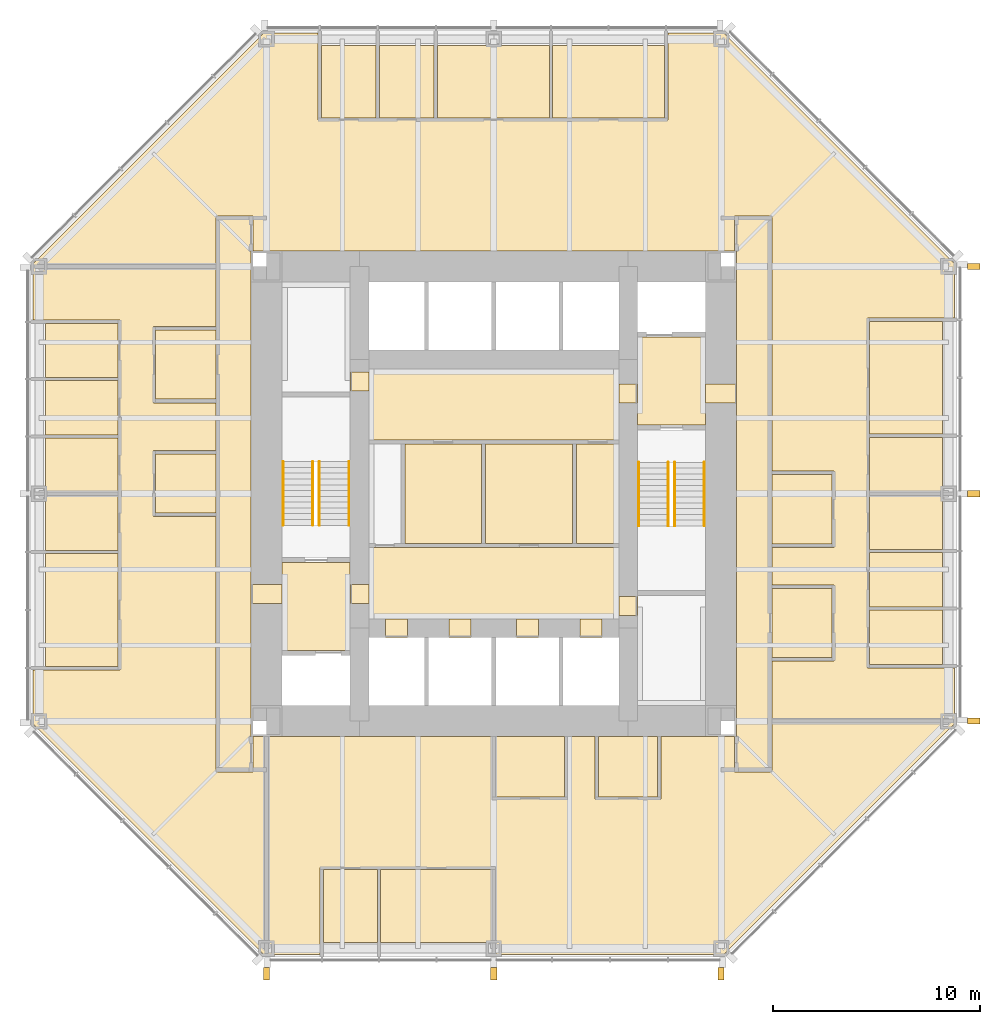
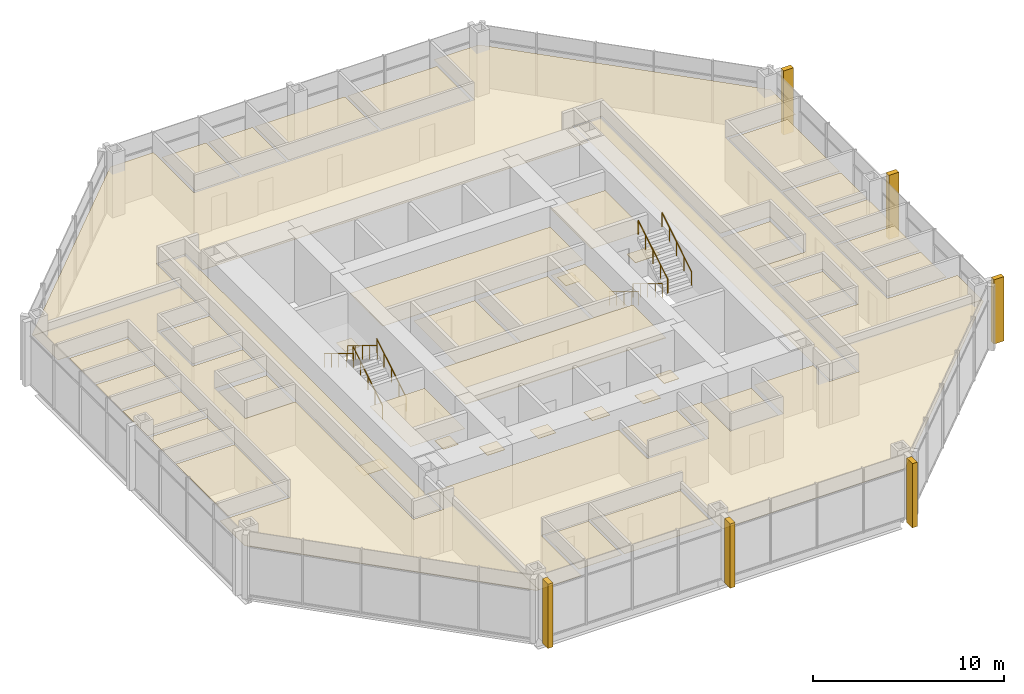
# One storey, part 12 of 12: 50 coverings, 8 railings.
"""IFC4 building model written with IfcOpenShell, lengths in metres."""

from ifc_helpers import new_model, si_unit, direction, frame, origin, origin_2d, place, context, subcontext, project, spatial, polyline, rectangle, circle, outline, extrude, material, layer, layer_set, type_object, element, save


model = new_model("IFC4")

# Units and contexts
model_context = context("Model", 3, precision=1e-05, world=origin(), true_north=direction((0.0, 1.0)))
body_context = subcontext(model_context, "Body", "Model", "MODEL_VIEW")
ifc_project = project(units=[si_unit("LENGTHUNIT", "METRE"), si_unit("AREAUNIT", "SQUARE_METRE"), si_unit("VOLUMEUNIT", "CUBIC_METRE"), si_unit("PLANEANGLEUNIT", "RADIAN"), si_unit("MASSUNIT", "GRAM", prefix="KILO")], contexts=[model_context])

# Site, building, storey
site_placement = place(None, origin())
site = spatial("IfcSite", under=ifc_project, at=site_placement, CompositionType="ELEMENT")
building_placement = place(site_placement, origin())
building = spatial("IfcBuilding", under=site, at=building_placement, Name="Trevanion Tower", CompositionType="ELEMENT")
storey_placement = place(building_placement, frame((0.0, 0.0, 113.10009765625)))
storey = spatial("IfcBuildingStorey", under=building, at=storey_placement, Name="L26", CompositionType="ELEMENT", Elevation=113.10009765625)

# Coverings
ifc_material_1 = material(Name="Fibrous plaster coffers on suspended steel grid", Category="steel")
ifc_layer_1 = layer(ifc_material_1, 0.050048828125)
ifc_layer_set_1 = layer_set([ifc_layer_1], Name="CL1 coffered fibrous plaster ceiling 50")
covering_type_1 = type_object("IfcCoveringType", Name="CL1 coffered fibrous plaster ceiling 50", PredefinedType="CEILING", material=ifc_layer_set_1)
covering_1_placement = place(storey_placement, frame((0.0, 0.0, 3.0)))
element("IfcCovering", 1, at=covering_1_placement, inside=storey, type_object=covering_type_1, Name="CL1 L26-LBS", PredefinedType="CEILING", context=body_context, shape_type="SweptSolid", body=[
    extrude(outline(polyline([(6.050048828125, -6.050048828125), (6.050048828125, -2.60009765625), (-6.050048828125, -2.60009765625), (-6.050048828125, -6.050048828125), (6.050048828125, -6.050048828125)])), origin(), (0.0, 0.0, 1.0), 0.0498046875),
])
ifc_material_2 = material(Name="Mineral fibre acoustic tiles in exposed grid", Category="mineral fibre")
ifc_layer_2 = layer(ifc_material_2, 0.02001953125)
ifc_layer_set_2 = layer_set([ifc_layer_2], Name="CL2 acoustic tile ceiling 20")
covering_type_2 = type_object("IfcCoveringType", Name="CL2 acoustic tile ceiling 20", PredefinedType="CEILING", material=ifc_layer_set_2)
covering_2_placement = place(storey_placement, frame((0.0, 0.0, 2.75)))
element("IfcCovering", 2, at=covering_2_placement, inside=storey, type_object=covering_type_2, Name="CL2 L26-LBN", PredefinedType="CEILING", context=body_context, shape_type="SweptSolid", body=[
    extrude(outline(polyline([(6.050048828125, 2.60009765625), (6.050048828125, 6.050048828125), (-6.050048828125, 6.050048828125), (-6.050048828125, 2.60009765625), (6.050048828125, 2.60009765625)])), origin(), (0.0, 0.0, 1.0), 0.02001953125),
])
covering_3_placement = place(storey_placement, frame((0.0, 0.0, 2.75)))
element("IfcCovering", 3, at=covering_3_placement, inside=storey, type_object=covering_type_2, Name="CL2 L26-CO1", PredefinedType="CEILING", context=body_context, shape_type="SweptSolid", body=[
    extrude(outline(polyline([(-11.75, 13.35009765625), (-11.75, -13.35009765625), (-13.35009765625, -13.35009765625), (-13.35009765625, 13.35009765625), (-11.75, 13.35009765625)])), origin(), (0.0, 0.0, 1.0), 0.02001953125),
])
covering_4_placement = place(storey_placement, frame((0.0, 0.0, 2.75)))
element("IfcCovering", 4, at=covering_4_placement, inside=storey, type_object=covering_type_2, Name="CL2 L26-CO2", PredefinedType="CEILING", context=body_context, shape_type="SweptSolid", body=[
    extrude(outline(polyline([(11.75, 13.35009765625), (13.35009765625, 13.35009765625), (13.35009765625, -13.35009765625), (11.75, -13.35009765625), (11.75, 13.35009765625)])), origin(), (0.0, 0.0, 1.0), 0.02001953125),
])
covering_5_placement = place(storey_placement, frame((0.0, 0.0, 2.75)))
element("IfcCovering", 5, at=covering_5_placement, inside=storey, type_object=covering_type_2, Name="CL2 L26-OF", PredefinedType="CEILING", context=body_context, shape_type="SweptSolid", body=[
    extrude(outline(polyline([(18.175048828125, -8.248046875), (18.175048828125, -5.6240234375), (21.699951171875, -5.6240234375), (21.699951171875, -8.248046875), (18.175048828125, -8.248046875)])), origin(), (0.0, 0.0, 1.0), 0.02001953125),
])
covering_6_placement = place(storey_placement, frame((0.0, 0.0, 2.75)))
element("IfcCovering", 6, at=covering_6_placement, inside=storey, type_object=covering_type_2, Name="CL2 L26-OF2", PredefinedType="CEILING", context=body_context, shape_type="SweptSolid", body=[
    extrude(outline(polyline([(18.175048828125, -5.47412109375), (18.175048828125, -2.85009765625), (21.699951171875, -2.85009765625), (21.699951171875, -5.47412109375), (18.175048828125, -5.47412109375)])), origin(), (0.0, 0.0, 1.0), 0.02001953125),
])
covering_7_placement = place(storey_placement, frame((0.0, 0.0, 2.75)))
element("IfcCovering", 7, at=covering_7_placement, inside=storey, type_object=covering_type_2, Name="CL2 L26-OF3", PredefinedType="CEILING", context=body_context, shape_type="SweptSolid", body=[
    extrude(outline(polyline([(18.175048828125, -2.699951171875), (18.175048828125, -0.074951171875), (21.699951171875, -0.074951171875), (21.699951171875, -2.699951171875), (18.175048828125, -2.699951171875)])), origin(), (0.0, 0.0, 1.0), 0.02001953125),
])
covering_8_placement = place(storey_placement, frame((0.0, 0.0, 2.75)))
element("IfcCovering", 8, at=covering_8_placement, inside=storey, type_object=covering_type_2, Name="CL2 L26-OF4", PredefinedType="CEILING", context=body_context, shape_type="SweptSolid", body=[
    extrude(outline(polyline([(18.175048828125, 0.074951171875), (18.175048828125, 2.73193359375), (21.699951171875, 2.73193359375), (21.699951171875, 0.074951171875), (18.175048828125, 0.074951171875)])), origin(), (0.0, 0.0, 1.0), 0.02001953125),
])
covering_9_placement = place(storey_placement, frame((0.0, 0.0, 2.75)))
element("IfcCovering", 9, at=covering_9_placement, inside=storey, type_object=covering_type_2, Name="CL2 L26-MR", PredefinedType="CEILING", context=body_context, shape_type="SweptSolid", body=[
    extrude(outline(polyline([(18.175048828125, 2.882080078125), (18.175048828125, 8.345947265625), (21.699951171875, 8.345947265625), (21.699951171875, 2.882080078125), (18.175048828125, 2.882080078125)])), origin(), (0.0, 0.0, 1.0), 0.02001953125),
])
covering_10_placement = place(storey_placement, frame((0.0, 0.0, 2.75)))
element("IfcCovering", 10, at=covering_10_placement, inside=storey, type_object=covering_type_2, Name="CL2 L26-MR2", PredefinedType="CEILING", context=body_context, shape_type="SweptSolid", body=[
    extrude(outline(polyline([(8.248046875, 18.175048828125), (2.85009765625, 18.175048828125), (2.85009765625, 21.699951171875), (8.248046875, 21.699951171875), (8.248046875, 18.175048828125)])), origin(), (0.0, 0.0, 1.0), 0.02001953125),
])
covering_11_placement = place(storey_placement, frame((0.0, 0.0, 2.75)))
element("IfcCovering", 11, at=covering_11_placement, inside=storey, type_object=covering_type_2, Name="CL2 L26-MR3", PredefinedType="CEILING", context=body_context, shape_type="SweptSolid", body=[
    extrude(outline(polyline([(2.699951171875, 18.175048828125), (-2.73193359375, 18.175048828125), (-2.73193359375, 21.699951171875), (2.699951171875, 21.699951171875), (2.699951171875, 18.175048828125)])), origin(), (0.0, 0.0, 1.0), 0.02001953125),
])
covering_12_placement = place(storey_placement, frame((0.0, 0.0, 2.75)))
element("IfcCovering", 12, at=covering_12_placement, inside=storey, type_object=covering_type_2, Name="CL2 L26-OF5", PredefinedType="CEILING", context=body_context, shape_type="SweptSolid", body=[
    extrude(outline(polyline([(-2.882080078125, 18.175048828125), (-5.5390625, 18.175048828125), (-5.5390625, 21.699951171875), (-2.882080078125, 21.699951171875), (-2.882080078125, 18.175048828125)])), origin(), (0.0, 0.0, 1.0), 0.02001953125),
])
covering_13_placement = place(storey_placement, frame((0.0, 0.0, 2.75)))
element("IfcCovering", 13, at=covering_13_placement, inside=storey, type_object=covering_type_2, Name="CL2 L26-OF6", PredefinedType="CEILING", context=body_context, shape_type="SweptSolid", body=[
    extrude(outline(polyline([(-5.68896484375, 18.175048828125), (-8.345947265625, 18.175048828125), (-8.345947265625, 21.699951171875), (-5.68896484375, 21.699951171875), (-5.68896484375, 18.175048828125)])), origin(), (0.0, 0.0, 1.0), 0.02001953125),
])
covering_14_placement = place(storey_placement, frame((0.0, 0.0, 2.75)))
element("IfcCovering", 14, at=covering_14_placement, inside=storey, type_object=covering_type_2, Name="CL2 L26-OF7", PredefinedType="CEILING", context=body_context, shape_type="SweptSolid", body=[
    extrude(outline(polyline([(-18.175048828125, 8.248046875), (-18.175048828125, 5.6240234375), (-21.699951171875, 5.6240234375), (-21.699951171875, 8.248046875), (-18.175048828125, 8.248046875)])), origin(), (0.0, 0.0, 1.0), 0.02001953125),
])
covering_15_placement = place(storey_placement, frame((0.0, 0.0, 2.75)))
element("IfcCovering", 15, at=covering_15_placement, inside=storey, type_object=covering_type_2, Name="CL2 L26-OF8", PredefinedType="CEILING", context=body_context, shape_type="SweptSolid", body=[
    extrude(outline(polyline([(-18.175048828125, 5.47412109375), (-18.175048828125, 2.85009765625), (-21.699951171875, 2.85009765625), (-21.699951171875, 5.47412109375), (-18.175048828125, 5.47412109375)])), origin(), (0.0, 0.0, 1.0), 0.02001953125),
])
covering_16_placement = place(storey_placement, frame((0.0, 0.0, 2.75)))
element("IfcCovering", 16, at=covering_16_placement, inside=storey, type_object=covering_type_2, Name="CL2 L26-OF9", PredefinedType="CEILING", context=body_context, shape_type="SweptSolid", body=[
    extrude(outline(polyline([(-18.175048828125, 2.699951171875), (-18.175048828125, 0.074951171875), (-21.699951171875, 0.074951171875), (-21.699951171875, 2.699951171875), (-18.175048828125, 2.699951171875)])), origin(), (0.0, 0.0, 1.0), 0.02001953125),
])
covering_17_placement = place(storey_placement, frame((0.0, 0.0, 2.75)))
element("IfcCovering", 17, at=covering_17_placement, inside=storey, type_object=covering_type_2, Name="CL2 L26-OF10", PredefinedType="CEILING", context=body_context, shape_type="SweptSolid", body=[
    extrude(outline(polyline([(-18.175048828125, -0.074951171875), (-18.175048828125, -2.73193359375), (-21.699951171875, -2.73193359375), (-21.699951171875, -0.074951171875), (-18.175048828125, -0.074951171875)])), origin(), (0.0, 0.0, 1.0), 0.02001953125),
])
covering_18_placement = place(storey_placement, frame((0.0, 0.0, 2.75)))
element("IfcCovering", 18, at=covering_18_placement, inside=storey, type_object=covering_type_2, Name="CL2 L26-MR4", PredefinedType="CEILING", context=body_context, shape_type="SweptSolid", body=[
    extrude(outline(polyline([(-18.175048828125, -2.882080078125), (-18.175048828125, -8.345947265625), (-21.699951171875, -8.345947265625), (-21.699951171875, -2.882080078125), (-18.175048828125, -2.882080078125)])), origin(), (0.0, 0.0, 1.0), 0.02001953125),
])
covering_19_placement = place(storey_placement, frame((0.0, 0.0, 2.75)))
element("IfcCovering", 19, at=covering_19_placement, inside=storey, type_object=covering_type_2, Name="CL2 L26-OF11", PredefinedType="CEILING", context=body_context, shape_type="SweptSolid", body=[
    extrude(outline(polyline([(-8.248046875, -18.175048828125), (-5.6240234375, -18.175048828125), (-5.6240234375, -21.699951171875), (-8.248046875, -21.699951171875), (-8.248046875, -18.175048828125)])), origin(), (0.0, 0.0, 1.0), 0.02001953125),
])
covering_20_placement = place(storey_placement, frame((0.0, 0.0, 2.75)))
element("IfcCovering", 20, at=covering_20_placement, inside=storey, type_object=covering_type_2, Name="CL2 L26-MR5", PredefinedType="CEILING", context=body_context, shape_type="SweptSolid", body=[
    extrude(outline(polyline([(-5.47412109375, -18.175048828125), (-0.074951171875, -18.175048828125), (-0.074951171875, -21.699951171875), (-5.47412109375, -21.699951171875), (-5.47412109375, -18.175048828125)])), origin(), (0.0, 0.0, 1.0), 0.02001953125),
])
covering_21_placement = place(storey_placement, frame((0.0, 0.0, 2.75)))
element("IfcCovering", 21, at=covering_21_placement, inside=storey, type_object=covering_type_2, Name="CL2 L26-RC", PredefinedType="CEILING", context=body_context, shape_type="SweptSolid", body=[
    extrude(outline(polyline([(13.449951171875, -7.925048828125), (13.449951171875, -4.574951171875), (16.375, -4.574951171875), (16.375, -7.925048828125), (13.449951171875, -7.925048828125)])), origin(), (0.0, 0.0, 1.0), 0.02001953125),
])
covering_22_placement = place(storey_placement, frame((0.0, 0.0, 2.75)))
element("IfcCovering", 22, at=covering_22_placement, inside=storey, type_object=covering_type_2, Name="CL2 L26-RC2", PredefinedType="CEILING", context=body_context, shape_type="SweptSolid", body=[
    extrude(outline(polyline([(-13.449951171875, 7.925048828125), (-13.449951171875, 4.574951171875), (-16.375, 4.574951171875), (-16.375, 7.925048828125), (-13.449951171875, 7.925048828125)])), origin(), (0.0, 0.0, 1.0), 0.02001953125),
])
covering_23_placement = place(storey_placement, frame((0.0, 0.0, 2.75)))
element("IfcCovering", 23, at=covering_23_placement, inside=storey, type_object=covering_type_2, Name="CL2 L26-RC3", PredefinedType="CEILING", context=body_context, shape_type="SweptSolid", body=[
    extrude(outline(polyline([(3.425048828125, -14.675048828125), (0.074951171875, -14.675048828125), (0.074951171875, -11.75), (3.425048828125, -11.75), (3.425048828125, -14.675048828125)])), origin(), (0.0, 0.0, 1.0), 0.02001953125),
])
covering_24_placement = place(storey_placement, frame((0.0, 0.0, 2.75)))
element("IfcCovering", 24, at=covering_24_placement, inside=storey, type_object=covering_type_2, Name="CL2 L26-OP", PredefinedType="CEILING", context=body_context, shape_type="SweptSolid", body=[
    extrude(outline(polyline([(11.64990234375, 13.449951171875), (11.64990234375, 11.75), (-11.64990234375, 11.75), (-11.64990234375, 13.449951171875), (-13.449951171875, 13.449951171875), (-13.449951171875, 11.0), (-22.300048828125, 11.0), (-22.300048828125, 11.124267578125), (-11.124267578125, 22.300048828125), (-8.51611328125, 22.300048828125), (-8.51611328125, 18.080078125), (8.41796875, 18.080078125), (8.41796875, 22.300048828125), (11.124267578125, 22.300048828125), (22.300048828125, 11.124267578125), (22.300048828125, 8.51611328125), (18.080078125, 8.51611328125), (18.080078125, -8.41796875), (22.300048828125, -8.41796875), (22.300048828125, -11.0), (13.449951171875, -11.0), (13.449951171875, -8.094970703125), (16.469970703125, -8.094970703125), (16.469970703125, -4.405029296875), (13.449951171875, -4.405029296875), (13.449951171875, -2.594970703125), (16.469970703125, -2.594970703125), (16.469970703125, 1.094970703125), (13.449951171875, 1.094970703125), (13.449951171875, 13.449951171875), (11.64990234375, 13.449951171875)])), origin(), (0.0, 0.0, 1.0), 0.02001953125),
])
covering_25_placement = place(storey_placement, frame((0.0, 0.0, 2.75)))
element("IfcCovering", 25, at=covering_25_placement, inside=storey, type_object=covering_type_2, Name="CL2 L26-OP2", PredefinedType="CEILING", context=body_context, shape_type="SweptSolid", body=[
    extrude(outline(polyline([(-13.449951171875, 8.094970703125), (-16.469970703125, 8.094970703125), (-16.469970703125, 4.405029296875), (-13.449951171875, 4.405029296875), (-13.449951171875, 2.094970703125), (-16.469970703125, 2.094970703125), (-16.469970703125, -1.094970703125), (-13.449951171875, -1.094970703125), (-13.449951171875, -13.449951171875), (-11.64990234375, -13.449951171875), (-11.64990234375, -11.75), (-11.0, -11.75), (-11.0, -22.300048828125), (-11.124267578125, -22.300048828125), (-22.300048828125, -11.124267578125), (-22.300048828125, -8.51611328125), (-18.080078125, -8.51611328125), (-18.080078125, 8.41796875), (-22.300048828125, 8.41796875), (-22.300048828125, 11.0), (-13.449951171875, 11.0), (-13.449951171875, 8.094970703125)])), origin(), (0.0, 0.0, 1.0), 0.02001953125),
])
covering_26_placement = place(storey_placement, frame((0.0, 0.0, 2.75)))
element("IfcCovering", 26, at=covering_26_placement, inside=storey, type_object=covering_type_2, Name="CL2 L26-OP3", PredefinedType="CEILING", context=body_context, shape_type="SweptSolid", body=[
    extrude(outline(polyline([(-0.094970703125, -11.75), (-0.094970703125, -14.77001953125), (3.594970703125, -14.77001953125), (3.594970703125, -11.75), (4.905029296875, -11.75), (4.905029296875, -14.77001953125), (8.094970703125, -14.77001953125), (8.094970703125, -11.75), (11.64990234375, -11.75), (11.64990234375, -13.449951171875), (13.449951171875, -13.449951171875), (13.449951171875, -11.0), (22.300048828125, -11.0), (22.300048828125, -11.124267578125), (11.124267578125, -22.300048828125), (0.094970703125, -22.300048828125), (0.094970703125, -18.080078125), (-8.41796875, -18.080078125), (-8.41796875, -22.300048828125), (-11.0, -22.300048828125), (-11.0, -11.75), (-0.094970703125, -11.75)])), origin(), (0.0, 0.0, 1.0), 0.02001953125),
])
ifc_material_3 = material(Name="Gypsum plasterboard on suspended metal furring", Category="gypsum")
ifc_layer_3 = layer(ifc_material_3, 0.012939453125)
ifc_layer_set_3 = layer_set([ifc_layer_3], Name="CL3 plasterboard ceiling 13")
covering_type_3 = type_object("IfcCoveringType", Name="CL3 plasterboard ceiling 13", PredefinedType="CEILING", material=ifc_layer_set_3)
covering_27_placement = place(storey_placement, frame((0.0, 0.0, 2.699951171875)))
element("IfcCovering", 27, at=covering_27_placement, inside=storey, type_object=covering_type_3, Name="CL3 L26-FV1", PredefinedType="CEILING", context=body_context, shape_type="SweptSolid", body=[
    extrude(outline(polyline([(10.25, 3.324951171875), (10.25, 7.574951171875), (6.949951171875, 7.574951171875), (6.949951171875, 3.324951171875), (10.25, 3.324951171875)])), origin(), (0.0, 0.0, 1.0), 0.012939453125),
])
covering_28_placement = place(storey_placement, frame((0.0, 0.0, 2.699951171875)))
element("IfcCovering", 28, at=covering_28_placement, inside=storey, type_object=covering_type_3, Name="CL3 L26-FV2", PredefinedType="CEILING", context=body_context, shape_type="SweptSolid", body=[
    extrude(outline(polyline([(-10.25, -3.324951171875), (-10.25, -7.574951171875), (-6.949951171875, -7.574951171875), (-6.949951171875, -3.324951171875), (-10.25, -3.324951171875)])), origin(), (0.0, 0.0, 1.0), 0.012939453125),
])
ifc_material_4 = material(Name="Moisture-resistant gypsum board on suspended metal furring", Category="gypsum")
ifc_layer_4 = layer(ifc_material_4, 0.01611328125)
ifc_layer_set_4 = layer_set([ifc_layer_4], Name="CL4 moisture-resistant board ceiling 16")
covering_type_4 = type_object("IfcCoveringType", Name="CL4 moisture-resistant board ceiling 16", PredefinedType="CEILING", material=ifc_layer_set_4)
covering_29_placement = place(storey_placement, frame((0.0, 0.0, 2.599853515625)))
element("IfcCovering", 29, at=covering_29_placement, inside=storey, type_object=covering_type_4, Name="CL4 L26-WCM", PredefinedType="CEILING", context=body_context, shape_type="SweptSolid", body=[
    extrude(outline(polyline([(-0.60009765625, -2.39990234375), (-0.60009765625, 2.39990234375), (-4.300048828125, 2.39990234375), (-4.300048828125, -2.39990234375), (-0.60009765625, -2.39990234375)])), origin(), (0.0, 0.0, 1.0), 0.01611328125),
])
covering_30_placement = place(storey_placement, frame((0.0, 0.0, 2.599853515625)))
element("IfcCovering", 30, at=covering_30_placement, inside=storey, type_object=covering_type_4, Name="CL4 L26-WCF", PredefinedType="CEILING", context=body_context, shape_type="SweptSolid", body=[
    extrude(outline(polyline([(3.800048828125, -2.39990234375), (3.800048828125, 2.39990234375), (-0.39990234375, 2.39990234375), (-0.39990234375, -2.39990234375), (3.800048828125, -2.39990234375)])), origin(), (0.0, 0.0, 1.0), 0.01611328125),
])
covering_31_placement = place(storey_placement, frame((0.0, 0.0, 2.599853515625)))
element("IfcCovering", 31, at=covering_31_placement, inside=storey, type_object=covering_type_4, Name="CL4 L26-WCA", PredefinedType="CEILING", context=body_context, shape_type="SweptSolid", body=[
    extrude(outline(polyline([(6.050048828125, -2.39990234375), (6.050048828125, 2.39990234375), (4.0, 2.39990234375), (4.0, -2.39990234375), (6.050048828125, -2.39990234375)])), origin(), (0.0, 0.0, 1.0), 0.01611328125),
])
covering_32_placement = place(storey_placement, frame((0.0, 0.0, 2.599853515625)))
element("IfcCovering", 32, at=covering_32_placement, inside=storey, type_object=covering_type_4, Name="CL4 L26-PA", PredefinedType="CEILING", context=body_context, shape_type="SweptSolid", body=[
    extrude(outline(polyline([(13.449951171875, -2.425048828125), (13.449951171875, 0.925048828125), (16.375, 0.925048828125), (16.375, -2.425048828125), (13.449951171875, -2.425048828125)])), origin(), (0.0, 0.0, 1.0), 0.01611328125),
])
covering_33_placement = place(storey_placement, frame((0.0, 0.0, 2.599853515625)))
element("IfcCovering", 33, at=covering_33_placement, inside=storey, type_object=covering_type_4, Name="CL4 L26-PA2", PredefinedType="CEILING", context=body_context, shape_type="SweptSolid", body=[
    extrude(outline(polyline([(-13.449951171875, 1.925048828125), (-13.449951171875, -0.925048828125), (-16.375, -0.925048828125), (-16.375, 1.925048828125), (-13.449951171875, 1.925048828125)])), origin(), (0.0, 0.0, 1.0), 0.01611328125),
])
covering_34_placement = place(storey_placement, frame((0.0, 0.0, 2.599853515625)))
element("IfcCovering", 34, at=covering_34_placement, inside=storey, type_object=covering_type_4, Name="CL4 L26-PA3", PredefinedType="CEILING", context=body_context, shape_type="SweptSolid", body=[
    extrude(outline(polyline([(7.925048828125, -14.675048828125), (5.074951171875, -14.675048828125), (5.074951171875, -11.75), (7.925048828125, -11.75), (7.925048828125, -14.675048828125)])), origin(), (0.0, 0.0, 1.0), 0.01611328125),
])
ifc_material_5 = material(Name="Cast bronze fin on aluminium carrier", Category="aluminium")
covering_type_5 = type_object("IfcCoveringType", Name="F1 bronze fin", PredefinedType="CLADDING", material=ifc_material_5)
for number, where, z_axis, x_axis, name in (
    (35, (23.22509765625, -11.0, -0.190185546875), (0.0, 0.0, 1.0), (0.0, 1.0, 0.0), "F1 L26 east -11.0"),
    (36, (23.22509765625, 0.0, -0.190185546875), (0.0, 0.0, 1.0), (0.0, 1.0, 0.0), "F1 L26 east +0.0"),
    (37, (23.22509765625, 11.0, -0.190185546875), (0.0, 0.0, 1.0), (0.0, 1.0, 0.0), "F1 L26 east +11.0"),
    (38, (-11.0, -23.22509765625, -0.190185546875), (0.0, 0.0, 1.0), (1.0, 0.0, 0.0), "F1 L26 south -11.0"),
    (39, (0.0, -23.22509765625, -0.190185546875), (0.0, 0.0, 1.0), (1.0, 0.0, 0.0), "F1 L26 south +0.0"),
    (40, (11.0, -23.22509765625, -0.190185546875), (0.0, 0.0, 1.0), (1.0, 0.0, 0.0), "F1 L26 south +11.0"),
):
    element("IfcCovering", number, at=place(storey_placement, frame(where, z_axis=z_axis, x_axis=x_axis)), inside=storey, type_object=covering_type_5, Name=name, PredefinedType="CLADDING", context=body_context, shape_type="SweptSolid", body=[
        extrude(rectangle(XDim=0.300048828125, YDim=0.60009765625, at=origin_2d()), origin(), (0.0, 0.0, 1.0), 4.10009765625),
    ])
ifc_material_6 = material(Name="Terrazzo, brass divider strips", Category="stone")
ifc_layer_5 = layer(ifc_material_6, 0.02001953125)
ifc_layer_set_5 = layer_set([ifc_layer_5], Name="FF1 terrazzo flooring")
covering_type_6 = type_object("IfcCoveringType", Name="FF1 terrazzo flooring", PredefinedType="FLOORING", material=ifc_layer_set_5)
covering_35_placement = place(storey_placement, origin())
element("IfcCovering", 41, at=covering_35_placement, inside=storey, type_object=covering_type_6, Name="FF1 threshold 26-001", PredefinedType="FLOORING", context=body_context, shape_type="SweptSolid", body=[
    extrude(outline(polyline([(11.75, 4.392578125), (11.75, 5.3076171875), (10.25, 5.3076171875), (10.25, 4.392578125), (11.75, 4.392578125)])), origin(), (0.0, 0.0, 1.0), 0.02001953125),
])
covering_36_placement = place(storey_placement, origin())
element("IfcCovering", 42, at=covering_36_placement, inside=storey, type_object=covering_type_6, Name="FF1 threshold 26-002", PredefinedType="FLOORING", context=body_context, shape_type="SweptSolid", body=[
    extrude(outline(polyline([(-11.75, -4.392578125), (-11.75, -5.3076171875), (-10.25, -5.3076171875), (-10.25, -4.392578125), (-11.75, -4.392578125)])), origin(), (0.0, 0.0, 1.0), 0.02001953125),
])
covering_37_placement = place(storey_placement, origin())
element("IfcCovering", 43, at=covering_37_placement, inside=storey, type_object=covering_type_6, Name="FF1 threshold 26-003", PredefinedType="FLOORING", context=body_context, shape_type="SweptSolid", body=[
    extrude(outline(polyline([(6.949951171875, 4.392578125), (6.949951171875, 5.3076171875), (6.050048828125, 5.3076171875), (6.050048828125, 4.392578125), (6.949951171875, 4.392578125)])), origin(), (0.0, 0.0, 1.0), 0.02001953125),
])
covering_38_placement = place(storey_placement, origin())
element("IfcCovering", 44, at=covering_38_placement, inside=storey, type_object=covering_type_6, Name="FF1 threshold 26-004", PredefinedType="FLOORING", context=body_context, shape_type="SweptSolid", body=[
    extrude(outline(polyline([(-6.949951171875, -4.392578125), (-6.949951171875, -5.3076171875), (-6.050048828125, -5.3076171875), (-6.050048828125, -4.392578125), (-6.949951171875, -4.392578125)])), origin(), (0.0, 0.0, 1.0), 0.02001953125),
])
covering_39_placement = place(storey_placement, origin())
element("IfcCovering", 45, at=covering_39_placement, inside=storey, type_object=covering_type_6, Name="FF1 threshold 26-009", PredefinedType="FLOORING", context=body_context, shape_type="SweptSolid", body=[
    extrude(outline(polyline([(6.949951171875, -5.889892578125), (6.949951171875, -4.97509765625), (6.050048828125, -4.97509765625), (6.050048828125, -5.889892578125), (6.949951171875, -5.889892578125)])), origin(), (0.0, 0.0, 1.0), 0.02001953125),
])
covering_40_placement = place(storey_placement, origin())
element("IfcCovering", 46, at=covering_40_placement, inside=storey, type_object=covering_type_6, Name="FF1 threshold 26-010", PredefinedType="FLOORING", context=body_context, shape_type="SweptSolid", body=[
    extrude(outline(polyline([(-6.949951171875, 5.889892578125), (-6.949951171875, 4.97509765625), (-6.050048828125, 4.97509765625), (-6.050048828125, 5.889892578125), (-6.949951171875, 5.889892578125)])), origin(), (0.0, 0.0, 1.0), 0.02001953125),
])
covering_41_placement = place(storey_placement, origin())
element("IfcCovering", 47, at=covering_41_placement, inside=storey, type_object=covering_type_6, Name="FF1 threshold 26-011", PredefinedType="FLOORING", context=body_context, shape_type="SweptSolid", body=[
    extrude(outline(polyline([(-5.2333984375, -6.949951171875), (-4.16650390625, -6.949951171875), (-4.16650390625, -6.050048828125), (-5.2333984375, -6.050048828125), (-5.2333984375, -6.949951171875)])), origin(), (0.0, 0.0, 1.0), 0.02001953125),
])
covering_42_placement = place(storey_placement, origin())
element("IfcCovering", 48, at=covering_42_placement, inside=storey, type_object=covering_type_6, Name="FF1 threshold 26-012", PredefinedType="FLOORING", context=body_context, shape_type="SweptSolid", body=[
    extrude(outline(polyline([(-2.158447265625, -6.949951171875), (-1.091552734375, -6.949951171875), (-1.091552734375, -6.050048828125), (-2.158447265625, -6.050048828125), (-2.158447265625, -6.949951171875)])), origin(), (0.0, 0.0, 1.0), 0.02001953125),
])
covering_43_placement = place(storey_placement, origin())
element("IfcCovering", 49, at=covering_43_placement, inside=storey, type_object=covering_type_6, Name="FF1 threshold 26-013", PredefinedType="FLOORING", context=body_context, shape_type="SweptSolid", body=[
    extrude(outline(polyline([(1.091552734375, -6.949951171875), (2.158447265625, -6.949951171875), (2.158447265625, -6.050048828125), (1.091552734375, -6.050048828125), (1.091552734375, -6.949951171875)])), origin(), (0.0, 0.0, 1.0), 0.02001953125),
])
covering_44_placement = place(storey_placement, origin())
element("IfcCovering", 50, at=covering_44_placement, inside=storey, type_object=covering_type_6, Name="FF1 threshold 26-014", PredefinedType="FLOORING", context=body_context, shape_type="SweptSolid", body=[
    extrude(outline(polyline([(4.16650390625, -6.949951171875), (5.2333984375, -6.949951171875), (5.2333984375, -6.050048828125), (4.16650390625, -6.050048828125), (4.16650390625, -6.949951171875)])), origin(), (0.0, 0.0, 1.0), 0.02001953125),
])

# Railings
ifc_material_7 = material(Name="Stainless steel tube 40 mm", Category="steel")
railing_type = type_object("IfcRailingType", Name="HR1 handrail", PredefinedType="HANDRAIL", material=ifc_material_7)
for number, where, name in (
    (51, (7.010009765625, 1.52490234375, 0.170654296875), "HR1 ST1 L26 flight 1"),
    (52, (8.43994140625, 1.52490234375, 0.170654296875), "HR1 ST1 L26 flight 1"),
):
    element("IfcRailing", number, at=place(storey_placement, frame(where)), inside=storey, type_object=railing_type, Name=name, PredefinedType="HANDRAIL", context=body_context, shape_type="SweptSolid", body=[
        extrude(circle(Radius=0.02001953125, at=origin_2d()), frame((0.0, 0.0, 0.8798828125), z_axis=(0.0, -0.853647949592, 0.520850437417), x_axis=(1.0, 0.0, 0.0)), (0.0, 0.0, 1.0), 3.60791015625),
        extrude(circle(Radius=0.01513671875, at=origin_2d()), origin(), (0.0, 0.0, 1.0), 0.85986328125),
        extrude(circle(Radius=0.01513671875, at=origin_2d()), frame((0.0, -0.77001953125, 0.4697265625)), (0.0, 0.0, 1.0), 0.85986328125),
        extrude(circle(Radius=0.01513671875, at=origin_2d()), frame((0.0, -1.5400390625, 0.939453125)), (0.0, 0.0, 1.0), 0.85986328125),
        extrude(circle(Radius=0.01513671875, at=origin_2d()), frame((0.0, -2.309814453125, 1.409423828125)), (0.0, 0.0, 1.0), 0.85986328125),
        extrude(circle(Radius=0.01513671875, at=origin_2d()), frame((0.0, -3.079833984375, 1.879150390625)), (0.0, 0.0, 1.0), 0.85986328125),
    ])
for number, where, name in (
    (53, (8.760009765625, -1.554931640625, 2.220703125), "HR1 ST1 L26 flight 2"),
    (54, (10.18994140625, -1.554931640625, 2.220703125), "HR1 ST1 L26 flight 2"),
    (55, (-7.010009765625, -1.52490234375, 0.170654296875), "HR1 ST2 L26 flight 1"),
    (56, (-8.43994140625, -1.52490234375, 0.170654296875), "HR1 ST2 L26 flight 1"),
):
    element("IfcRailing", number, at=place(storey_placement, frame(where)), inside=storey, type_object=railing_type, Name=name, PredefinedType="HANDRAIL", context=body_context, shape_type="SweptSolid", body=[
        extrude(circle(Radius=0.02001953125, at=origin_2d()), frame((0.0, 0.0, 0.8798828125), z_axis=(0.0, 0.853647949592, 0.520850437417), x_axis=(-1.0, 0.0, 0.0)), (0.0, 0.0, 1.0), 3.60791015625),
        extrude(circle(Radius=0.01513671875, at=origin_2d()), origin(), (0.0, 0.0, 1.0), 0.85986328125),
        extrude(circle(Radius=0.01513671875, at=origin_2d()), frame((0.0, 0.77001953125, 0.4697265625)), (0.0, 0.0, 1.0), 0.85986328125),
        extrude(circle(Radius=0.01513671875, at=origin_2d()), frame((0.0, 1.5400390625, 0.939453125)), (0.0, 0.0, 1.0), 0.85986328125),
        extrude(circle(Radius=0.01513671875, at=origin_2d()), frame((0.0, 2.309814453125, 1.409423828125)), (0.0, 0.0, 1.0), 0.85986328125),
        extrude(circle(Radius=0.01513671875, at=origin_2d()), frame((0.0, 3.079833984375, 1.879150390625)), (0.0, 0.0, 1.0), 0.85986328125),
    ])
for number, where, name in (
    (57, (-8.760009765625, 1.554931640625, 2.220703125), "HR1 ST2 L26 flight 2"),
    (58, (-10.18994140625, 1.554931640625, 2.220703125), "HR1 ST2 L26 flight 2"),
):
    element("IfcRailing", number, at=place(storey_placement, frame(where)), inside=storey, type_object=railing_type, Name=name, PredefinedType="HANDRAIL", context=body_context, shape_type="SweptSolid", body=[
        extrude(circle(Radius=0.02001953125, at=origin_2d()), frame((0.0, 0.0, 0.8798828125), z_axis=(0.0, -0.853647949592, 0.520850437417), x_axis=(1.0, 0.0, 0.0)), (0.0, 0.0, 1.0), 3.60791015625),
        extrude(circle(Radius=0.01513671875, at=origin_2d()), origin(), (0.0, 0.0, 1.0), 0.85986328125),
        extrude(circle(Radius=0.01513671875, at=origin_2d()), frame((0.0, -0.77001953125, 0.4697265625)), (0.0, 0.0, 1.0), 0.85986328125),
        extrude(circle(Radius=0.01513671875, at=origin_2d()), frame((0.0, -1.5400390625, 0.939453125)), (0.0, 0.0, 1.0), 0.85986328125),
        extrude(circle(Radius=0.01513671875, at=origin_2d()), frame((0.0, -2.309814453125, 1.409423828125)), (0.0, 0.0, 1.0), 0.85986328125),
        extrude(circle(Radius=0.01513671875, at=origin_2d()), frame((0.0, -3.079833984375, 1.879150390625)), (0.0, 0.0, 1.0), 0.85986328125),
    ])

save(model, "model.ifc")
